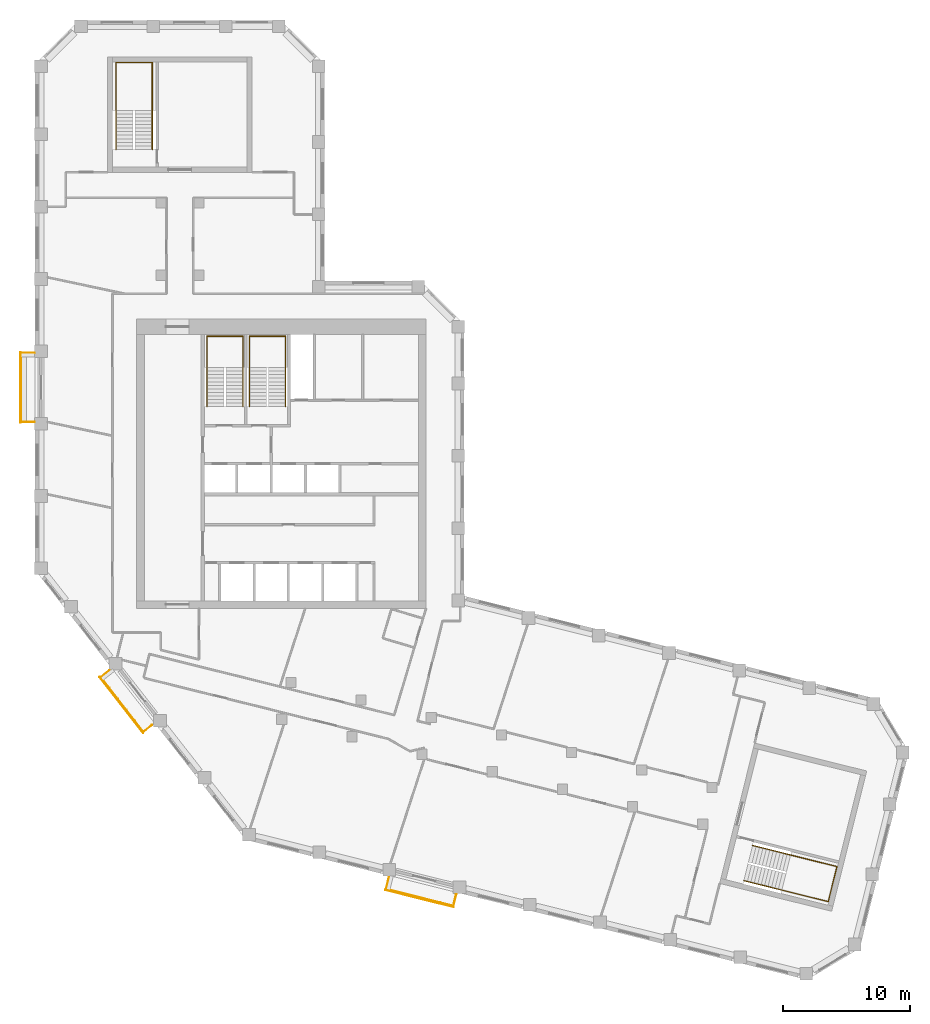
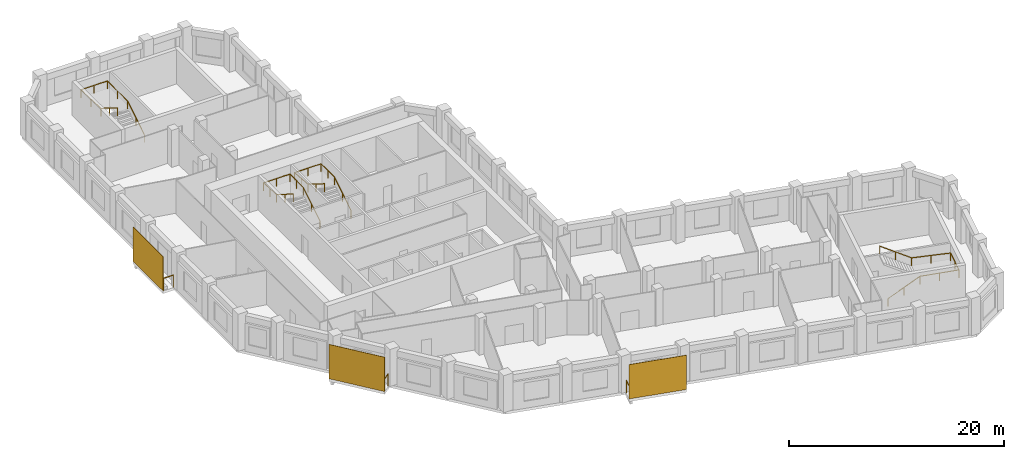
# One storey, part 9 of 9: 7 railings, 3 shading devices.
"""IFC4 building model written with IfcOpenShell, lengths in metres."""

from ifc_helpers import new_model, si_unit, direction, frame, origin, origin_2d, place, context, subcontext, project, spatial, rectangle, circle, extrude, material, layer, layer_set, type_object, element, save


model = new_model("IFC4")

# Units and contexts
model_context = context("Model", 3, precision=1e-05, world=origin(), true_north=direction((0.0, 1.0)))
body_context = subcontext(model_context, "Body", "Model", "MODEL_VIEW")
ifc_project = project(units=[si_unit("LENGTHUNIT", "METRE"), si_unit("AREAUNIT", "SQUARE_METRE"), si_unit("VOLUMEUNIT", "CUBIC_METRE"), si_unit("PLANEANGLEUNIT", "RADIAN"), si_unit("MASSUNIT", "GRAM", prefix="KILO")], contexts=[model_context])

# Site, building, storey
site_placement = place(None, origin())
site = spatial("IfcSite", under=ifc_project, at=site_placement, CompositionType="ELEMENT")
building_placement = place(site_placement, origin())
building = spatial("IfcBuilding", under=site, at=building_placement, Name="Meshkara Civic Tower", CompositionType="ELEMENT")
storey_placement = place(building_placement, frame((0.0, 0.0, 336.0)))
storey = spatial("IfcBuildingStorey", under=building, at=storey_placement, Name="L77", CompositionType="ELEMENT", Elevation=336.0)

# Railings
ifc_material_1 = material(Name="Steel S355", Category="steel")
railing_type_1 = type_object("IfcRailingType", Name="BALUSTRADE GUARD 1400", PredefinedType="BALUSTRADE", material=ifc_material_1)
railing_1_placement = place(storey_placement, frame((-0.050048828125, 34.235107421875, 0.0)))
element("IfcRailing", 1, at=railing_1_placement, inside=storey, type_object=railing_type_1, Name="Balcony guard", PredefinedType="BALUSTRADE", context=body_context, shape_type="SweptSolid", body=[
    extrude(circle(Radius=0.02392578125, at=origin_2d()), frame((0.0, 0.0, 1.3759765625), z_axis=(-1.0, 0.0, 0.0), x_axis=(0.0, -1.0, 0.0)), (0.0, 0.0, 1.0), 1.06005859375),
    extrude(circle(Radius=0.02392578125, at=origin_2d()), frame((-1.06005859375, 0.0, 1.3759765625), z_axis=(0.0, -1.0, 0.0), x_axis=(1.0, 0.0, 0.0)), (0.0, 0.0, 1.0), 5.460205078125),
    extrude(circle(Radius=0.02392578125, at=origin_2d()), frame((-1.06005859375, -5.460205078125, 1.3759765625), z_axis=(1.0, 0.0, 0.0), x_axis=(0.0, 1.0, 0.0)), (0.0, 0.0, 1.0), 1.06005859375),
    extrude(circle(Radius=0.02099609375, at=origin_2d()), origin(), (0.0, 0.0, 1.0), 1.351806640625),
    extrude(circle(Radius=0.02099609375, at=origin_2d()), frame((-1.06005859375, 0.0, 0.0)), (0.0, 0.0, 1.0), 1.351806640625),
    extrude(circle(Radius=0.02099609375, at=origin_2d()), frame((-1.06005859375, -1.092041015625, 0.0)), (0.0, 0.0, 1.0), 1.351806640625),
    extrude(circle(Radius=0.02099609375, at=origin_2d()), frame((-1.06005859375, -2.18408203125, 0.0)), (0.0, 0.0, 1.0), 1.351806640625),
    extrude(circle(Radius=0.02099609375, at=origin_2d()), frame((-1.06005859375, -3.276123046875, 0.0)), (0.0, 0.0, 1.0), 1.351806640625),
    extrude(circle(Radius=0.02099609375, at=origin_2d()), frame((-1.06005859375, -4.3681640625, 0.0)), (0.0, 0.0, 1.0), 1.351806640625),
    extrude(circle(Radius=0.02099609375, at=origin_2d()), frame((-1.06005859375, -5.460205078125, 0.0)), (0.0, 0.0, 1.0), 1.351806640625),
    extrude(circle(Radius=0.02099609375, at=origin_2d()), frame((0.0, -5.460205078125, 0.0)), (0.0, 0.0, 1.0), 1.351806640625),
])
railing_2_placement = place(storey_placement, frame((5.843994140625, 9.2109375, 0.0)))
element("IfcRailing", 2, at=railing_2_placement, inside=storey, type_object=railing_type_1, Name="Balcony guard", PredefinedType="BALUSTRADE", context=body_context, shape_type="SweptSolid", body=[
    extrude(circle(Radius=0.02392578125, at=origin_2d()), frame((0.0, 0.0, 1.3759765625), z_axis=(-0.787511002433, -0.616300593093, 0.0), x_axis=(0.616300593093, -0.787511002433, 0.0)), (0.0, 0.0, 1.0), 0.8583984375),
    extrude(circle(Radius=0.02392578125, at=origin_2d()), frame((-0.676025390625, -0.529052734375, 1.3759765625), z_axis=(0.615684818606, -0.787992515281, 0.0), x_axis=(0.787992515281, 0.615684818606, 0.0)), (0.0, 0.0, 1.0), 5.460693359375),
    extrude(circle(Radius=0.02392578125, at=origin_2d()), frame((2.68603515625, -4.83203125, 1.3759765625), z_axis=(0.787511002433, 0.616300593093, 0.0), x_axis=(-0.616300593093, 0.787511002433, 0.0)), (0.0, 0.0, 1.0), 0.8583984375),
    extrude(circle(Radius=0.02099609375, at=origin_2d()), origin(), (0.0, 0.0, 1.0), 1.351806640625),
    extrude(circle(Radius=0.02099609375, at=origin_2d()), frame((-0.676025390625, -0.529052734375, 0.0)), (0.0, 0.0, 1.0), 1.351806640625),
    extrude(circle(Radius=0.02099609375, at=origin_2d()), frame((-0.003662109375, -1.3896484375, 0.0)), (0.0, 0.0, 1.0), 1.351806640625),
    extrude(circle(Radius=0.02099609375, at=origin_2d()), frame((0.668701171875, -2.250244140625, 0.0)), (0.0, 0.0, 1.0), 1.351806640625),
    extrude(circle(Radius=0.02099609375, at=origin_2d()), frame((1.34130859375, -3.11083984375, 0.0)), (0.0, 0.0, 1.0), 1.351806640625),
    extrude(circle(Radius=0.02099609375, at=origin_2d()), frame((2.013671875, -3.971435546875, 0.0)), (0.0, 0.0, 1.0), 1.351806640625),
    extrude(circle(Radius=0.02099609375, at=origin_2d()), frame((2.68603515625, -4.83203125, 0.0)), (0.0, 0.0, 1.0), 1.351806640625),
    extrude(circle(Radius=0.02099609375, at=origin_2d()), frame((3.362060546875, -4.302978515625, 0.0)), (0.0, 0.0, 1.0), 1.351806640625),
])
railing_3_placement = place(storey_placement, frame((27.882080078125, -7.113037109375, 0.0)))
element("IfcRailing", 3, at=railing_3_placement, inside=storey, type_object=railing_type_1, Name="Balcony guard", PredefinedType="BALUSTRADE", context=body_context, shape_type="SweptSolid", body=[
    extrude(circle(Radius=0.02392578125, at=origin_2d()), frame((0.0, 0.0, 1.3759765625), z_axis=(-0.242475378497, -0.970157559793, 0.0), x_axis=(0.970157559793, -0.242475378497, 0.0)), (0.0, 0.0, 1.0), 0.95361328125),
    extrude(circle(Radius=0.02392578125, at=origin_2d()), frame((-0.231201171875, -0.925048828125, 1.3759765625), z_axis=(0.970302726319, -0.241893818229, 0.0), x_axis=(0.241893818229, 0.970302726319, 0.0)), (0.0, 0.0, 1.0), 5.460205078125),
    extrude(circle(Radius=0.02392578125, at=origin_2d()), frame((5.06689453125, -2.245849609375, 1.3759765625), z_axis=(0.242294558419, 0.970202734979, 0.0), x_axis=(-0.970202734979, 0.242294558419, 0.0)), (0.0, 0.0, 1.0), 0.953125),
    extrude(circle(Radius=0.02099609375, at=origin_2d()), origin(), (0.0, 0.0, 1.0), 1.351806640625),
    extrude(circle(Radius=0.02099609375, at=origin_2d()), frame((-0.231201171875, -0.925048828125, 0.0)), (0.0, 0.0, 1.0), 1.351806640625),
    extrude(circle(Radius=0.02099609375, at=origin_2d()), frame((0.828369140625, -1.189208984375, 0.0)), (0.0, 0.0, 1.0), 1.351806640625),
    extrude(circle(Radius=0.02099609375, at=origin_2d()), frame((1.887939453125, -1.453369140625, 0.0)), (0.0, 0.0, 1.0), 1.351806640625),
    extrude(circle(Radius=0.02099609375, at=origin_2d()), frame((2.94775390625, -1.717529296875, 0.0)), (0.0, 0.0, 1.0), 1.351806640625),
    extrude(circle(Radius=0.02099609375, at=origin_2d()), frame((4.00732421875, -1.981689453125, 0.0)), (0.0, 0.0, 1.0), 1.351806640625),
    extrude(circle(Radius=0.02099609375, at=origin_2d()), frame((5.06689453125, -2.245849609375, 0.0)), (0.0, 0.0, 1.0), 1.351806640625),
    extrude(circle(Radius=0.02099609375, at=origin_2d()), frame((5.2978515625, -1.321044921875, 0.0)), (0.0, 0.0, 1.0), 1.351806640625),
])

# Shading devices
ifc_material_2 = material(Name="Perforated bronze anodised aluminium sheet", Category="aluminium")
ifc_layer = layer(ifc_material_2, 0.0400390625)
ifc_layer_set = layer_set([ifc_layer], Name="PERFORATED BRONZE SCREEN")
shading_device_type = type_object("IfcShadingDeviceType", Name="PERFORATED BRONZE SCREEN", PredefinedType="USERDEFINED", material=ifc_layer_set)
shading_device_1_placement = place(storey_placement, frame((-1.179931640625, 31.5048828125, 0.0), z_axis=(0.0, 0.0, 1.0), x_axis=(0.0, -1.0, 0.0)))
element("IfcShadingDevice", 4, at=shading_device_1_placement, inside=storey, type_object=shading_device_type, Name="Balcony screen", ObjectType="SCREEN", PredefinedType="USERDEFINED", context=body_context, shape_type="SweptSolid", body=[
    extrude(rectangle(XDim=5.580078125, YDim=0.0400390625, at=origin_2d()), origin(), (0.0, 0.0, 1.0), 3.89990234375),
])
shading_device_2_placement = place(storey_placement, frame((6.7939453125, 6.488037109375, 0.0), z_axis=(0.0, 0.0, 1.0), x_axis=(0.615661475326, -0.788010753607, 0.0)))
element("IfcShadingDevice", 5, at=shading_device_2_placement, inside=storey, type_object=shading_device_type, Name="Balcony screen", ObjectType="SCREEN", PredefinedType="USERDEFINED", context=body_context, shape_type="SweptSolid", body=[
    extrude(rectangle(XDim=5.5810546875, YDim=0.0400390625, at=origin_2d()), origin(), (0.0, 0.0, 1.0), 3.89990234375),
])
shading_device_3_placement = place(storey_placement, frame((30.282958984375, -8.76708984375, 0.0), z_axis=(0.0, 0.0, 1.0), x_axis=(0.970295726276, -0.2419218956, 0.0)))
element("IfcShadingDevice", 6, at=shading_device_3_placement, inside=storey, type_object=shading_device_type, Name="Balcony screen", ObjectType="SCREEN", PredefinedType="USERDEFINED", context=body_context, shape_type="SweptSolid", body=[
    extrude(rectangle(XDim=5.580078125, YDim=0.0400390625, at=origin_2d()), origin(), (0.0, 0.0, 1.0), 3.89990234375),
])

# Railings
ifc_material_3 = material(Name="Steel handrail", Category="steel")
railing_type_2 = type_object("IfcRailingType", Name="Stair handrail 900", PredefinedType="HANDRAIL", material=ifc_material_3)
railing_4_placement = place(storey_placement, frame((16.375, 30.0, 0.175048828125)))
element("IfcRailing", 7, at=railing_4_placement, inside=storey, type_object=railing_type_2, Name="L77 ST1 stair handrail 1", PredefinedType="HANDRAIL", context=body_context, shape_type="SweptSolid", body=[
    extrude(circle(Radius=0.02392578125, at=origin_2d()), frame((0.0, 0.0, 0.8759765625), z_axis=(0.0, 0.847998304005, 0.529998940003), x_axis=(-1.0, 0.0, 0.0)), (0.0, 0.0, 1.0), 3.632080078125),
    extrude(circle(Radius=0.02392578125, at=origin_2d()), frame((0.0, 3.080078125, 2.80078125), z_axis=(0.0, 1.0, 0.0), x_axis=(-1.0, 0.0, 0.0)), (0.0, 0.0, 1.0), 2.469970703125),
    extrude(circle(Radius=0.02392578125, at=origin_2d()), frame((0.0, 5.550048828125, 2.80078125), z_axis=(-1.0, 0.0, 0.0), x_axis=(0.0, -1.0, 0.0)), (0.0, 0.0, 1.0), 2.85009765625),
    extrude(circle(Radius=0.02392578125, at=origin_2d()), frame((-2.85009765625, 5.550048828125, 2.80078125), z_axis=(0.0, -0.997505032726, 0.070595394231), x_axis=(1.0, 0.0, 0.0)), (0.0, 0.0, 1.0), 2.47607421875),
    extrude(circle(Radius=0.02392578125, at=origin_2d()), frame((-2.85009765625, 3.080078125, 2.9755859375), z_axis=(0.0, -0.847998304005, 0.529998940003), x_axis=(1.0, 0.0, 0.0)), (0.0, 0.0, 1.0), 3.632080078125),
    extrude(circle(Radius=0.02099609375, at=origin_2d()), origin(), (0.0, 0.0, 1.0), 0.851806640625),
    extrude(circle(Radius=0.02099609375, at=origin_2d()), frame((0.0, 1.5400390625, 0.96240234375)), (0.0, 0.0, 1.0), 0.851806640625),
    extrude(circle(Radius=0.02099609375, at=origin_2d()), frame((0.0, 3.080078125, 1.925048828125)), (0.0, 0.0, 1.0), 0.851806640625),
    extrude(circle(Radius=0.02099609375, at=origin_2d()), frame((0.0, 4.31494140625, 1.925048828125)), (0.0, 0.0, 1.0), 0.851806640625),
    extrude(circle(Radius=0.02099609375, at=origin_2d()), frame((0.0, 5.550048828125, 1.925048828125)), (0.0, 0.0, 1.0), 0.851806640625),
    extrude(circle(Radius=0.02099609375, at=origin_2d()), frame((-1.425048828125, 5.550048828125, 1.925048828125)), (0.0, 0.0, 1.0), 0.851806640625),
    extrude(circle(Radius=0.02099609375, at=origin_2d()), frame((-2.85009765625, 5.550048828125, 1.925048828125)), (0.0, 0.0, 1.0), 0.851806640625),
    extrude(circle(Radius=0.02099609375, at=origin_2d()), frame((-2.85009765625, 4.31494140625, 2.012451171875)), (0.0, 0.0, 1.0), 0.851806640625),
    extrude(circle(Radius=0.02099609375, at=origin_2d()), frame((-2.85009765625, 3.080078125, 2.099853515625)), (0.0, 0.0, 1.0), 0.851806640625),
    extrude(circle(Radius=0.02099609375, at=origin_2d()), frame((-2.85009765625, 1.5400390625, 3.0625)), (0.0, 0.0, 1.0), 0.851806640625),
    extrude(circle(Radius=0.02099609375, at=origin_2d()), frame((-2.85009765625, 0.0, 4.02490234375)), (0.0, 0.0, 1.0), 0.851806640625),
])
railing_5_placement = place(storey_placement, frame((19.72509765625, 30.0, 0.175048828125)))
element("IfcRailing", 8, at=railing_5_placement, inside=storey, type_object=railing_type_2, Name="L77 ST2 stair handrail 1", PredefinedType="HANDRAIL", context=body_context, shape_type="SweptSolid", body=[
    extrude(circle(Radius=0.02392578125, at=origin_2d()), frame((0.0, 0.0, 0.8759765625), z_axis=(0.0, 0.847998304005, 0.529998940003), x_axis=(-1.0, 0.0, 0.0)), (0.0, 0.0, 1.0), 3.632080078125),
    extrude(circle(Radius=0.02392578125, at=origin_2d()), frame((0.0, 3.080078125, 2.80078125), z_axis=(0.0, 1.0, 0.0), x_axis=(-1.0, 0.0, 0.0)), (0.0, 0.0, 1.0), 2.469970703125),
    extrude(circle(Radius=0.02392578125, at=origin_2d()), frame((0.0, 5.550048828125, 2.80078125), z_axis=(-1.0, 0.0, 0.0), x_axis=(0.0, -1.0, 0.0)), (0.0, 0.0, 1.0), 2.85009765625),
    extrude(circle(Radius=0.02392578125, at=origin_2d()), frame((-2.85009765625, 5.550048828125, 2.80078125), z_axis=(0.0, -0.997505032726, 0.070595394231), x_axis=(1.0, 0.0, 0.0)), (0.0, 0.0, 1.0), 2.47607421875),
    extrude(circle(Radius=0.02392578125, at=origin_2d()), frame((-2.85009765625, 3.080078125, 2.9755859375), z_axis=(0.0, -0.847998304005, 0.529998940003), x_axis=(1.0, 0.0, 0.0)), (0.0, 0.0, 1.0), 3.632080078125),
    extrude(circle(Radius=0.02099609375, at=origin_2d()), origin(), (0.0, 0.0, 1.0), 0.851806640625),
    extrude(circle(Radius=0.02099609375, at=origin_2d()), frame((0.0, 1.5400390625, 0.96240234375)), (0.0, 0.0, 1.0), 0.851806640625),
    extrude(circle(Radius=0.02099609375, at=origin_2d()), frame((0.0, 3.080078125, 1.925048828125)), (0.0, 0.0, 1.0), 0.851806640625),
    extrude(circle(Radius=0.02099609375, at=origin_2d()), frame((0.0, 4.31494140625, 1.925048828125)), (0.0, 0.0, 1.0), 0.851806640625),
    extrude(circle(Radius=0.02099609375, at=origin_2d()), frame((0.0, 5.550048828125, 1.925048828125)), (0.0, 0.0, 1.0), 0.851806640625),
    extrude(circle(Radius=0.02099609375, at=origin_2d()), frame((-1.425048828125, 5.550048828125, 1.925048828125)), (0.0, 0.0, 1.0), 0.851806640625),
    extrude(circle(Radius=0.02099609375, at=origin_2d()), frame((-2.85009765625, 5.550048828125, 1.925048828125)), (0.0, 0.0, 1.0), 0.851806640625),
    extrude(circle(Radius=0.02099609375, at=origin_2d()), frame((-2.85009765625, 4.31494140625, 2.012451171875)), (0.0, 0.0, 1.0), 0.851806640625),
    extrude(circle(Radius=0.02099609375, at=origin_2d()), frame((-2.85009765625, 3.080078125, 2.099853515625)), (0.0, 0.0, 1.0), 0.851806640625),
    extrude(circle(Radius=0.02099609375, at=origin_2d()), frame((-2.85009765625, 1.5400390625, 3.0625)), (0.0, 0.0, 1.0), 0.851806640625),
    extrude(circle(Radius=0.02099609375, at=origin_2d()), frame((-2.85009765625, 0.0, 4.02490234375)), (0.0, 0.0, 1.0), 0.851806640625),
])
railing_6_placement = place(storey_placement, frame((9.22509765625, 50.27001953125, 0.175048828125)))
element("IfcRailing", 9, at=railing_6_placement, inside=storey, type_object=railing_type_2, Name="L77 ESA5 stair handrail 1", PredefinedType="HANDRAIL", context=body_context, shape_type="SweptSolid", body=[
    extrude(circle(Radius=0.02392578125, at=origin_2d()), frame((0.0, 0.0, 0.8759765625), z_axis=(0.0, 0.847998304005, 0.529998940003), x_axis=(-1.0, 0.0, 0.0)), (0.0, 0.0, 1.0), 3.632080078125),
    extrude(circle(Radius=0.02392578125, at=origin_2d()), frame((0.0, 3.080078125, 2.80078125), z_axis=(0.0, 1.0, 0.0), x_axis=(-1.0, 0.0, 0.0)), (0.0, 0.0, 1.0), 3.77001953125),
    extrude(circle(Radius=0.02392578125, at=origin_2d()), frame((0.0, 6.85009765625, 2.80078125), z_axis=(-1.0, 0.0, 0.0), x_axis=(0.0, -1.0, 0.0)), (0.0, 0.0, 1.0), 2.85009765625),
    extrude(circle(Radius=0.02392578125, at=origin_2d()), frame((-2.85009765625, 6.85009765625, 2.80078125), z_axis=(0.0, -0.998926778478, 0.046317288783), x_axis=(1.0, 0.0, 0.0)), (0.0, 0.0, 1.0), 3.774169921875),
    extrude(circle(Radius=0.02392578125, at=origin_2d()), frame((-2.85009765625, 3.080078125, 2.9755859375), z_axis=(0.0, -0.847998304005, 0.529998940003), x_axis=(1.0, 0.0, 0.0)), (0.0, 0.0, 1.0), 3.632080078125),
    extrude(circle(Radius=0.02099609375, at=origin_2d()), origin(), (0.0, 0.0, 1.0), 0.851806640625),
    extrude(circle(Radius=0.02099609375, at=origin_2d()), frame((0.0, 1.5400390625, 0.96240234375)), (0.0, 0.0, 1.0), 0.851806640625),
    extrude(circle(Radius=0.02099609375, at=origin_2d()), frame((0.0, 3.080078125, 1.925048828125)), (0.0, 0.0, 1.0), 0.851806640625),
    extrude(circle(Radius=0.02099609375, at=origin_2d()), frame((0.0, 4.965087890625, 1.925048828125)), (0.0, 0.0, 1.0), 0.851806640625),
    extrude(circle(Radius=0.02099609375, at=origin_2d()), frame((0.0, 6.85009765625, 1.925048828125)), (0.0, 0.0, 1.0), 0.851806640625),
    extrude(circle(Radius=0.02099609375, at=origin_2d()), frame((-1.425048828125, 6.85009765625, 1.925048828125)), (0.0, 0.0, 1.0), 0.851806640625),
    extrude(circle(Radius=0.02099609375, at=origin_2d()), frame((-2.85009765625, 6.85009765625, 1.925048828125)), (0.0, 0.0, 1.0), 0.851806640625),
    extrude(circle(Radius=0.02099609375, at=origin_2d()), frame((-2.85009765625, 4.965087890625, 2.012451171875)), (0.0, 0.0, 1.0), 0.851806640625),
    extrude(circle(Radius=0.02099609375, at=origin_2d()), frame((-2.85009765625, 3.080078125, 2.099853515625)), (0.0, 0.0, 1.0), 0.851806640625),
    extrude(circle(Radius=0.02099609375, at=origin_2d()), frame((-2.85009765625, 1.5400390625, 3.0625)), (0.0, 0.0, 1.0), 0.851806640625),
    extrude(circle(Radius=0.02099609375, at=origin_2d()), frame((-2.85009765625, 0.0, 4.02490234375)), (0.0, 0.0, 1.0), 0.851806640625),
])
railing_7_placement = place(storey_placement, frame((55.849365234375, -7.3544921875, 0.175048828125)))
element("IfcRailing", 10, at=railing_7_placement, inside=storey, type_object=railing_type_2, Name="L77 ESB5 stair handrail 1", PredefinedType="HANDRAIL", context=body_context, shape_type="SweptSolid", body=[
    extrude(circle(Radius=0.02392578125, at=origin_2d()), frame((0.0, 0.0, 0.8759765625), z_axis=(0.822781968105, -0.205275396666, 0.529992306062), x_axis=(0.242069343812, 0.970258951408, 0.0)), (0.0, 0.0, 1.0), 3.63232421875),
    extrude(circle(Radius=0.02392578125, at=origin_2d()), frame((2.988525390625, -0.74560546875, 2.80078125), z_axis=(0.970256677427, -0.242078458165, 0.0), x_axis=(0.242078458165, 0.970256677427, 0.0)), (0.0, 0.0, 1.0), 3.769775390625),
    extrude(circle(Radius=0.02392578125, at=origin_2d()), frame((6.646240234375, -1.658203125, 2.80078125), z_axis=(0.242072031574, 0.970258280835, 0.0), x_axis=(-0.970258280835, 0.242072031574, 0.0)), (0.0, 0.0, 1.0), 2.85009765625),
    extrude(circle(Radius=0.02392578125, at=origin_2d()), frame((7.336181640625, 1.107177734375, 2.80078125), z_axis=(-0.969219200799, 0.24180346877, 0.046316555281), x_axis=(-0.242063248025, -0.970260472221, 0.0)), (0.0, 0.0, 1.0), 3.774169921875),
    extrude(circle(Radius=0.02392578125, at=origin_2d()), frame((3.67822265625, 2.019775390625, 2.9755859375), z_axis=(-0.822771605551, 0.205222362071, 0.530028930537), x_axis=(-0.242013336109, -0.97027292302, 0.0)), (0.0, 0.0, 1.0), 3.632080078125),
    extrude(circle(Radius=0.02099609375, at=origin_2d()), origin(), (0.0, 0.0, 1.0), 0.851806640625),
    extrude(circle(Radius=0.02099609375, at=origin_2d()), frame((1.494140625, -0.372802734375, 0.96240234375)), (0.0, 0.0, 1.0), 0.851806640625),
    extrude(circle(Radius=0.02099609375, at=origin_2d()), frame((2.988525390625, -0.74560546875, 1.925048828125)), (0.0, 0.0, 1.0), 0.851806640625),
    extrude(circle(Radius=0.02099609375, at=origin_2d()), frame((4.8173828125, -1.201904296875, 1.925048828125)), (0.0, 0.0, 1.0), 0.851806640625),
    extrude(circle(Radius=0.02099609375, at=origin_2d()), frame((6.646240234375, -1.658203125, 1.925048828125)), (0.0, 0.0, 1.0), 0.851806640625),
    extrude(circle(Radius=0.02099609375, at=origin_2d()), frame((6.9912109375, -0.275390625, 1.925048828125)), (0.0, 0.0, 1.0), 0.851806640625),
    extrude(circle(Radius=0.02099609375, at=origin_2d()), frame((7.336181640625, 1.107177734375, 1.925048828125)), (0.0, 0.0, 1.0), 0.851806640625),
    extrude(circle(Radius=0.02099609375, at=origin_2d()), frame((5.50732421875, 1.5634765625, 2.012451171875)), (0.0, 0.0, 1.0), 0.851806640625),
    extrude(circle(Radius=0.02099609375, at=origin_2d()), frame((3.67822265625, 2.019775390625, 2.099853515625)), (0.0, 0.0, 1.0), 0.851806640625),
    extrude(circle(Radius=0.02099609375, at=origin_2d()), frame((2.18408203125, 2.392578125, 3.0625)), (0.0, 0.0, 1.0), 0.851806640625),
    extrude(circle(Radius=0.02099609375, at=origin_2d()), frame((0.68994140625, 2.76513671875, 4.02490234375)), (0.0, 0.0, 1.0), 0.851806640625),
])

save(model, "model.ifc")
